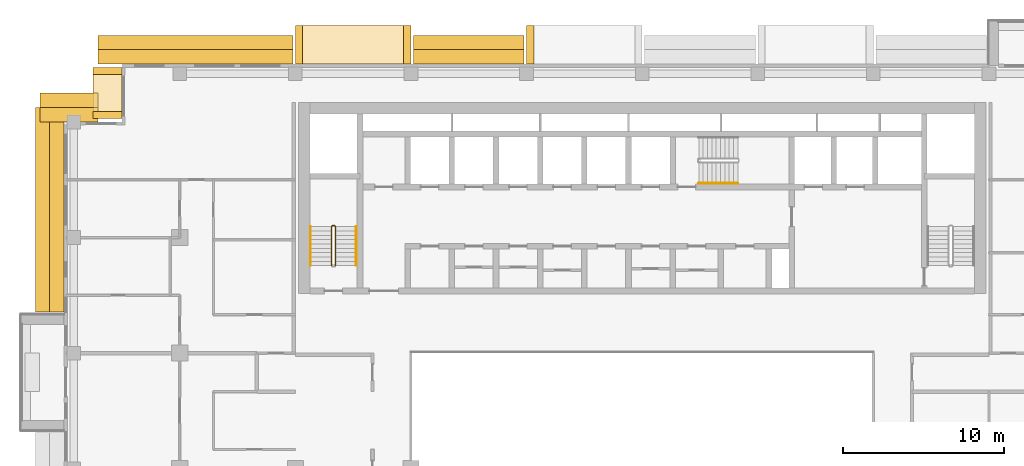
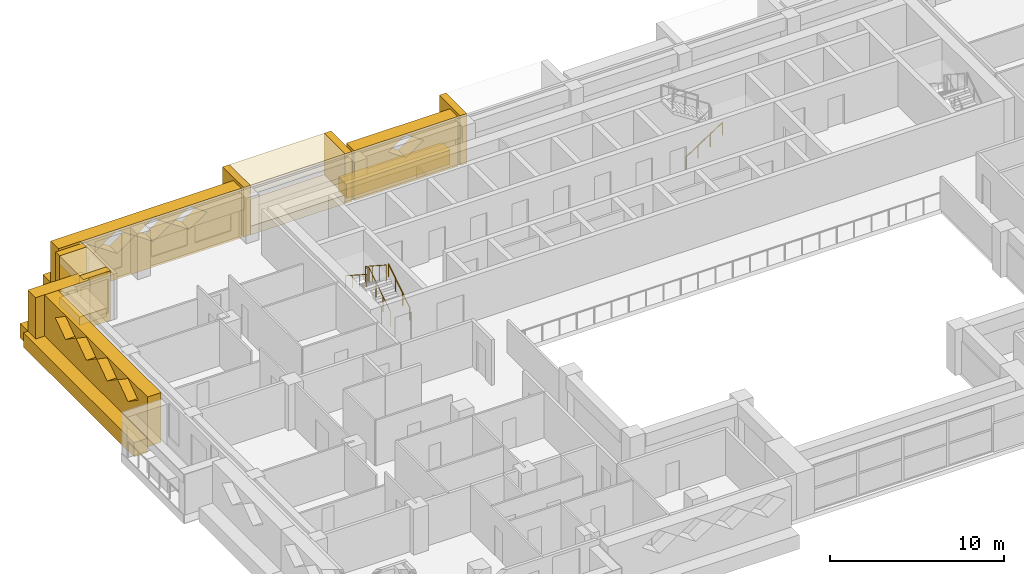
# One storey, part 18 of 20: 17 coverings, 4 railings.
"""IFC4 building model written with IfcOpenShell, lengths in metres."""

from ifc_helpers import new_model, si_unit, direction, frame, origin, origin_2d, place, context, subcontext, project, spatial, polyline, circle, outline, extrude, material, layer, layer_set, type_object, element, save


model = new_model("IFC4")

# Units and contexts
model_context = context("Model", 3, precision=1e-05, world=origin(), true_north=direction((0.0, 1.0)))
body_context = subcontext(model_context, "Body", "Model", "MODEL_VIEW")
ifc_project = project(units=[si_unit("LENGTHUNIT", "METRE"), si_unit("AREAUNIT", "SQUARE_METRE"), si_unit("VOLUMEUNIT", "CUBIC_METRE"), si_unit("PLANEANGLEUNIT", "RADIAN"), si_unit("MASSUNIT", "GRAM", prefix="KILO")], contexts=[model_context])

# Site, building, storey
site_placement = place(None, origin())
site = spatial("IfcSite", under=ifc_project, at=site_placement, CompositionType="ELEMENT")
building_placement = place(site_placement, origin())
building = spatial("IfcBuilding", under=site, at=building_placement, Name="Saffron Iwan Residences", CompositionType="ELEMENT")
storey_placement = place(building_placement, frame((0.0, 0.0, 167.5)))
storey = spatial("IfcBuildingStorey", under=building, at=storey_placement, Name="L44", CompositionType="ELEMENT", Elevation=167.5)

# Coverings
ifc_material_1 = material(Name="Precast concrete C40/50", Category="concrete")
covering_type_1 = type_object("IfcCoveringType", Name="OUTER SKIN LATTICE SCREEN", PredefinedType="CLADDING", material=ifc_material_1)
covering_1_placement = place(storey_placement, frame((43.050048828125, 80.39990234375, -0.300048828125), z_axis=(0.0, 1.0, 0.0), x_axis=(-1.0, 0.0, 0.0)))
element("IfcCovering", 1, at=covering_1_placement, inside=storey, type_object=covering_type_1, Name="OUTER SKIN lattice screen L44 F5.3", PredefinedType="CLADDING", context=body_context, shape_type="SweptSolid", body=[
    extrude(outline(polyline([(0.0, 0.0), (6.89990234375, 0.0), (6.89990234375, 3.5), (0.0, 3.5), (0.0, 0.0)]), holes=[polyline([(2.27001953125, 2.625), (3.449951171875, 1.81005859375), (4.6298828125, 2.625), (3.449951171875, 3.43994140625), (2.27001953125, 2.625)])]), origin(), (0.0, 0.0, 1.0), 0.900146484375),
])
covering_2_placement = place(storey_placement, frame((28.64990234375, 80.39990234375, -0.300048828125), z_axis=(0.0, 1.0, 0.0), x_axis=(-1.0, 0.0, 0.0)))
element("IfcCovering", 2, at=covering_2_placement, inside=storey, type_object=covering_type_1, Name="OUTER SKIN lattice screen L44 F5.4", PredefinedType="CLADDING", context=body_context, shape_type="SweptSolid", body=[
    extrude(outline(polyline([(0.0, 0.0), (12.14990234375, 0.0), (12.14990234375, 3.5), (0.0, 3.5), (0.0, 0.0)]), holes=[polyline([(2.27001953125, 2.625), (3.449951171875, 1.81005859375), (4.6298828125, 2.625), (3.449951171875, 3.43994140625), (2.27001953125, 2.625)]), polyline([(4.669921875, 2.625), (5.85009765625, 1.81005859375), (7.030029296875, 2.625), (5.85009765625, 3.43994140625), (4.669921875, 2.625)]), polyline([(7.070068359375, 2.625), (8.25, 1.81005859375), (9.429931640625, 2.625), (8.25, 3.43994140625), (7.070068359375, 2.625)]), polyline([(9.469970703125, 2.625), (10.64990234375, 1.81005859375), (11.830078125, 2.625), (10.64990234375, 3.43994140625), (9.469970703125, 2.625)])]), origin(), (0.0, 0.0, 1.0), 0.900146484375),
])
covering_3_placement = place(storey_placement, frame((16.5, 76.800048828125, -0.300048828125), z_axis=(0.0, 1.0, 0.0), x_axis=(-1.0, 0.0, 0.0)))
element("IfcCovering", 3, at=covering_3_placement, inside=storey, type_object=covering_type_1, Name="OUTER SKIN lattice screen L44 F7.0", PredefinedType="CLADDING", context=body_context, shape_type="SweptSolid", body=[
    extrude(outline(polyline([(0.0, 0.0), (3.60009765625, 0.0), (3.60009765625, 3.5), (0.0, 3.5), (0.0, 0.0)])), origin(), (0.0, 0.0, 1.0), 0.89990234375),
])
covering_4_placement = place(storey_placement, frame((14.39990234375, 77.699951171875, -0.300048828125), z_axis=(-1.0, 0.0, 0.0), x_axis=(0.0, -1.0, 0.0)))
element("IfcCovering", 4, at=covering_4_placement, inside=storey, type_object=covering_type_1, Name="OUTER SKIN lattice screen L44 F8.0", PredefinedType="CLADDING", context=body_context, shape_type="SweptSolid", body=[
    extrude(outline(polyline([(0.0, 0.0), (12.75, 0.0), (12.75, 3.5), (0.0, 3.5), (0.0, 0.0)]), holes=[polyline([(2.1201171875, 2.625), (3.300048828125, 1.81005859375), (4.47998046875, 2.625), (3.300048828125, 3.43994140625), (2.1201171875, 2.625)]), polyline([(4.52001953125, 2.625), (5.699951171875, 1.81005859375), (6.8798828125, 2.625), (5.699951171875, 3.43994140625), (4.52001953125, 2.625)]), polyline([(6.919921875, 2.625), (8.10009765625, 1.81005859375), (9.280029296875, 2.625), (8.10009765625, 3.43994140625), (6.919921875, 2.625)]), polyline([(9.320068359375, 2.625), (10.5, 1.81005859375), (11.679931640625, 2.625), (10.5, 3.43994140625), (9.320068359375, 2.625)])]), origin(), (0.0, 0.0, 1.0), 0.89990234375),
])

# Railings
ifc_material_2 = material(Name="Steel S355", Category="steel")
railing_type_1 = type_object("IfcRailingType", Name="Stair guard 1100", PredefinedType="GUARDRAIL", material=ifc_material_2)
railing_1_placement = place(storey_placement, frame((31.300048828125, 67.85009765625, 0.175048828125)))
element("IfcRailing", 5, at=railing_1_placement, inside=storey, type_object=railing_type_1, Name="L44 ST-W stair guard 1", PredefinedType="GUARDRAIL", context=body_context, shape_type="SweptSolid", body=[
    extrude(circle(Radius=0.02392578125, at=origin_2d()), frame((0.0, 0.0, 1.076171875), z_axis=(0.0, 0.839153699163, 0.543894354798), x_axis=(-1.0, 0.0, 0.0)), (0.0, 0.0, 1.0), 2.895751953125),
    extrude(circle(Radius=0.02392578125, at=origin_2d()), frame((0.0, 2.429931640625, 2.65087890625), z_axis=(-0.707106781187, 0.707106781187, 0.0), x_axis=(-0.707106781187, -0.707106781187, 0.0)), (0.0, 0.0, 1.0), 0.07080078125),
    extrude(circle(Radius=0.02392578125, at=origin_2d()), frame((-0.050048828125, 2.47998046875, 2.65087890625), z_axis=(-1.0, 0.0, 0.0), x_axis=(0.0, -1.0, 0.0)), (0.0, 0.0, 1.0), 0.14990234375),
    extrude(circle(Radius=0.02392578125, at=origin_2d()), frame((-0.199951171875, 2.47998046875, 2.65087890625), z_axis=(-0.265065253269, -0.265065253269, 0.927081885822), x_axis=(0.707106781187, -0.707106781187, 0.0)), (0.0, 0.0, 1.0), 0.188720703125),
    extrude(circle(Radius=0.02392578125, at=origin_2d()), frame((-0.25, 2.429931640625, 2.826171875), z_axis=(0.0, -0.839153699163, 0.543894354798), x_axis=(1.0, 0.0, 0.0)), (0.0, 0.0, 1.0), 2.895751953125),
    extrude(circle(Radius=0.02099609375, at=origin_2d()), origin(), (0.0, 0.0, 1.0), 1.052001953125),
    extrude(circle(Radius=0.02099609375, at=origin_2d()), frame((0.0, 0.81005859375, 0.52490234375)), (0.0, 0.0, 1.0), 1.052001953125),
    extrude(circle(Radius=0.02099609375, at=origin_2d()), frame((0.0, 1.619873046875, 1.050048828125)), (0.0, 0.0, 1.0), 1.052001953125),
    extrude(circle(Radius=0.02099609375, at=origin_2d()), frame((0.0, 2.429931640625, 1.574951171875)), (0.0, 0.0, 1.0), 1.052001953125),
    extrude(circle(Radius=0.02099609375, at=origin_2d()), frame((-0.050048828125, 2.47998046875, 1.574951171875)), (0.0, 0.0, 1.0), 1.052001953125),
    extrude(circle(Radius=0.02099609375, at=origin_2d()), frame((-0.199951171875, 2.47998046875, 1.574951171875)), (0.0, 0.0, 1.0), 1.052001953125),
    extrude(circle(Radius=0.02099609375, at=origin_2d()), frame((-0.25, 2.429931640625, 1.75)), (0.0, 0.0, 1.0), 1.052001953125),
    extrude(circle(Radius=0.02099609375, at=origin_2d()), frame((-0.25, 1.619873046875, 2.27490234375)), (0.0, 0.0, 1.0), 1.052001953125),
    extrude(circle(Radius=0.02099609375, at=origin_2d()), frame((-0.25, 0.81005859375, 2.800048828125)), (0.0, 0.0, 1.0), 1.052001953125),
    extrude(circle(Radius=0.02099609375, at=origin_2d()), frame((-0.25, 0.0, 3.324951171875)), (0.0, 0.0, 1.0), 1.052001953125),
])
ifc_material_3 = material(Name="Stainless steel 316", Category="steel")
railing_type_2 = type_object("IfcRailingType", Name="Stair handrail 900", PredefinedType="HANDRAIL", material=ifc_material_3)
railing_2_placement = place(storey_placement, frame((32.60009765625, 67.85009765625, 0.175048828125)))
element("IfcRailing", 6, at=railing_2_placement, inside=storey, type_object=railing_type_2, Name="L44 ST-W stair handrail 1", PredefinedType="HANDRAIL", context=body_context, shape_type="SweptSolid", body=[
    extrude(circle(Radius=0.02392578125, at=origin_2d()), frame((0.0, 0.0, 0.8759765625), z_axis=(0.0, 0.839153699163, 0.543894354798), x_axis=(-1.0, 0.0, 0.0)), (0.0, 0.0, 1.0), 2.895751953125),
    extrude(circle(Radius=0.02099609375, at=origin_2d()), origin(), (0.0, 0.0, 1.0), 0.851806640625),
    extrude(circle(Radius=0.02099609375, at=origin_2d()), frame((0.0, 0.81005859375, 0.52490234375)), (0.0, 0.0, 1.0), 0.851806640625),
    extrude(circle(Radius=0.02099609375, at=origin_2d()), frame((0.0, 1.619873046875, 1.050048828125)), (0.0, 0.0, 1.0), 0.851806640625),
    extrude(circle(Radius=0.02099609375, at=origin_2d()), frame((0.0, 2.429931640625, 1.574951171875)), (0.0, 0.0, 1.0), 0.851806640625),
])
railing_3_placement = place(storey_placement, frame((29.75, 70.280029296875, 1.925048828125)))
element("IfcRailing", 7, at=railing_3_placement, inside=storey, type_object=railing_type_2, Name="L44 ST-W stair handrail 2", PredefinedType="HANDRAIL", context=body_context, shape_type="SweptSolid", body=[
    extrude(circle(Radius=0.02392578125, at=origin_2d()), frame((0.0, 0.0, 0.8759765625), z_axis=(0.0, -0.839153699163, 0.543894354798), x_axis=(1.0, 0.0, 0.0)), (0.0, 0.0, 1.0), 2.895751953125),
    extrude(circle(Radius=0.02099609375, at=origin_2d()), origin(), (0.0, 0.0, 1.0), 0.851806640625),
    extrude(circle(Radius=0.02099609375, at=origin_2d()), frame((0.0, -0.81005859375, 0.52490234375)), (0.0, 0.0, 1.0), 0.851806640625),
    extrude(circle(Radius=0.02099609375, at=origin_2d()), frame((0.0, -1.619873046875, 1.050048828125)), (0.0, 0.0, 1.0), 0.851806640625),
    extrude(circle(Radius=0.02099609375, at=origin_2d()), frame((0.0, -2.429931640625, 1.574951171875)), (0.0, 0.0, 1.0), 0.851806640625),
])
railing_4_placement = place(storey_placement, frame((53.925048828125, 72.97509765625, 0.175048828125)))
element("IfcRailing", 8, at=railing_4_placement, inside=storey, type_object=railing_type_2, Name="L44 ST-C stair handrail 1", PredefinedType="HANDRAIL", context=body_context, shape_type="SweptSolid", body=[
    extrude(circle(Radius=0.02392578125, at=origin_2d()), frame((0.0, 0.0, 0.8759765625), z_axis=(0.839153699163, 0.0, 0.543894354798), x_axis=(0.0, 1.0, 0.0)), (0.0, 0.0, 1.0), 2.895751953125),
    extrude(circle(Radius=0.02099609375, at=origin_2d()), origin(), (0.0, 0.0, 1.0), 0.851806640625),
    extrude(circle(Radius=0.02099609375, at=origin_2d()), frame((0.81005859375, 0.0, 0.52490234375)), (0.0, 0.0, 1.0), 0.851806640625),
    extrude(circle(Radius=0.02099609375, at=origin_2d()), frame((1.619873046875, 0.0, 1.050048828125)), (0.0, 0.0, 1.0), 0.851806640625),
    extrude(circle(Radius=0.02099609375, at=origin_2d()), frame((2.429931640625, 0.0, 1.574951171875)), (0.0, 0.0, 1.0), 0.851806640625),
])

# Coverings
ifc_material_4 = material(Name="Precast concrete C40/50 white painted", Category="concrete")
ifc_layer = layer(ifc_material_4, 0.89990234375)
ifc_layer_set = layer_set([ifc_layer], Name="Precast concrete C40/50 white painted")
covering_type_2 = type_object("IfcCoveringType", Name="WHITE EDGE BAND 900 x 1000", PredefinedType="CLADDING", material=ifc_layer_set)
covering_5_placement = place(storey_placement, frame((0.0, 0.0, -0.699951171875)))
element("IfcCovering", 9, at=covering_5_placement, inside=storey, type_object=covering_type_2, Name="White edge band L44 F5.3", PredefinedType="CLADDING", context=body_context, shape_type="SweptSolid", body=[
    extrude(outline(polyline([(43.050048828125, 82.199951171875), (36.14990234375, 82.199951171875), (36.14990234375, 81.300048828125), (43.050048828125, 81.300048828125), (43.050048828125, 82.199951171875)])), origin(), (0.0, 0.0, 1.0), 1.0),
])
covering_6_placement = place(storey_placement, frame((0.0, 0.0, -0.699951171875)))
element("IfcCovering", 10, at=covering_6_placement, inside=storey, type_object=covering_type_2, Name="White edge band L44 F5.4", PredefinedType="CLADDING", context=body_context, shape_type="SweptSolid", body=[
    extrude(outline(polyline([(28.64990234375, 82.199951171875), (16.5, 82.199951171875), (16.5, 81.300048828125), (28.64990234375, 81.300048828125), (28.64990234375, 82.199951171875)])), origin(), (0.0, 0.0, 1.0), 1.0),
])
covering_7_placement = place(storey_placement, frame((0.0, 0.0, -0.699951171875)))
element("IfcCovering", 11, at=covering_7_placement, inside=storey, type_object=covering_type_2, Name="White edge band L44 F7.0", PredefinedType="CLADDING", context=body_context, shape_type="SweptSolid", body=[
    extrude(outline(polyline([(16.5, 78.60009765625), (12.89990234375, 78.60009765625), (12.89990234375, 77.699951171875), (16.5, 77.699951171875), (16.5, 78.60009765625)])), origin(), (0.0, 0.0, 1.0), 1.0),
])
covering_8_placement = place(storey_placement, frame((0.0, 0.0, -0.699951171875)))
element("IfcCovering", 12, at=covering_8_placement, inside=storey, type_object=covering_type_2, Name="White edge band L44 F8.0", PredefinedType="CLADDING", context=body_context, shape_type="SweptSolid", body=[
    extrude(outline(polyline([(12.60009765625, 77.699951171875), (12.60009765625, 64.949951171875), (13.5, 64.949951171875), (13.5, 77.699951171875), (12.60009765625, 77.699951171875)])), origin(), (0.0, 0.0, 1.0), 1.0),
])
covering_type_3 = type_object("IfcCoveringType", Name="WHITE SUN FRAME PRECAST", PredefinedType="CLADDING", material=ifc_material_4)
for number, where, z_axis, x_axis, name in (
    (13, (43.64990234375, 80.39990234375, -0.300048828125), (0.0, 1.0, 0.0), (-1.0, 0.0, 0.0), "Sun frame L44 F5 32.4b"),
    (14, (36.0, 80.39990234375, -0.300048828125), (0.0, 1.0, 0.0), (-1.0, 0.0, 0.0), "Sun frame L44 F5 46.8a"),
    (15, (29.25, 80.39990234375, -0.300048828125), (0.0, 1.0, 0.0), (-1.0, 0.0, 0.0), "Sun frame L44 F5 46.8b"),
):
    element("IfcCovering", number, at=place(storey_placement, frame(where, z_axis=z_axis, x_axis=x_axis)), inside=storey, type_object=covering_type_3, Name=name, PredefinedType="CLADDING", context=body_context, shape_type="SweptSolid", body=[
        extrude(outline(polyline([(0.0, 0.0), (0.449951171875, 0.0), (0.449951171875, 3.5), (0.0, 3.5), (0.0, 0.0)])), origin(), (0.0, 0.0, 1.0), 2.400146484375),
    ])
for number, where, z_axis, x_axis, name in (
    (16, (35.550048828125, 80.39990234375, 2.60009765625), (0.0, 1.0, 0.0), (-1.0, 0.0, 0.0), "Sun frame L44 F5 46.8h"),
    (17, (35.550048828125, 80.39990234375, -0.300048828125), (0.0, 1.0, 0.0), (-1.0, 0.0, 0.0), "Sun frame L44 F5 46.8s"),
):
    element("IfcCovering", number, at=place(storey_placement, frame(where, z_axis=z_axis, x_axis=x_axis)), inside=storey, type_object=covering_type_3, Name=name, PredefinedType="CLADDING", context=body_context, shape_type="SweptSolid", body=[
        extrude(outline(polyline([(0.0, 0.0), (6.300048828125, 0.0), (6.300048828125, 0.60009765625), (0.0, 0.60009765625), (0.0, 0.0)])), origin(), (0.0, 0.0, 1.0), 2.400146484375),
    ])
for number, where, z_axis, x_axis, name in (
    (18, (18.0, 80.199951171875, -0.300048828125), (-1.0, 0.0, 0.0), (0.0, -1.0, 0.0), "Sun frame L44 F6 0.2a"),
    (19, (18.0, 77.449951171875, -0.300048828125), (-1.0, 0.0, 0.0), (0.0, -1.0, 0.0), "Sun frame L44 F6 0.2b"),
):
    element("IfcCovering", number, at=place(storey_placement, frame(where, z_axis=z_axis, x_axis=x_axis)), inside=storey, type_object=covering_type_3, Name=name, PredefinedType="CLADDING", context=body_context, shape_type="SweptSolid", body=[
        extrude(outline(polyline([(0.0, 0.0), (0.449951171875, 0.0), (0.449951171875, 3.5), (0.0, 3.5), (0.0, 0.0)])), origin(), (0.0, 0.0, 1.0), 1.800048828125),
    ])
for number, where, z_axis, x_axis, name in (
    (20, (18.0, 79.75, 2.60009765625), (-1.0, 0.0, 0.0), (0.0, -1.0, 0.0), "Sun frame L44 F6 0.2h"),
    (21, (18.0, 79.75, -0.300048828125), (-1.0, 0.0, 0.0), (0.0, -1.0, 0.0), "Sun frame L44 F6 0.2s"),
):
    element("IfcCovering", number, at=place(storey_placement, frame(where, z_axis=z_axis, x_axis=x_axis)), inside=storey, type_object=covering_type_3, Name=name, PredefinedType="CLADDING", context=body_context, shape_type="SweptSolid", body=[
        extrude(outline(polyline([(0.0, 0.0), (2.300048828125, 0.0), (2.300048828125, 0.60009765625), (0.0, 0.60009765625), (0.0, 0.0)])), origin(), (0.0, 0.0, 1.0), 1.800048828125),
    ])

save(model, "model.ifc")
